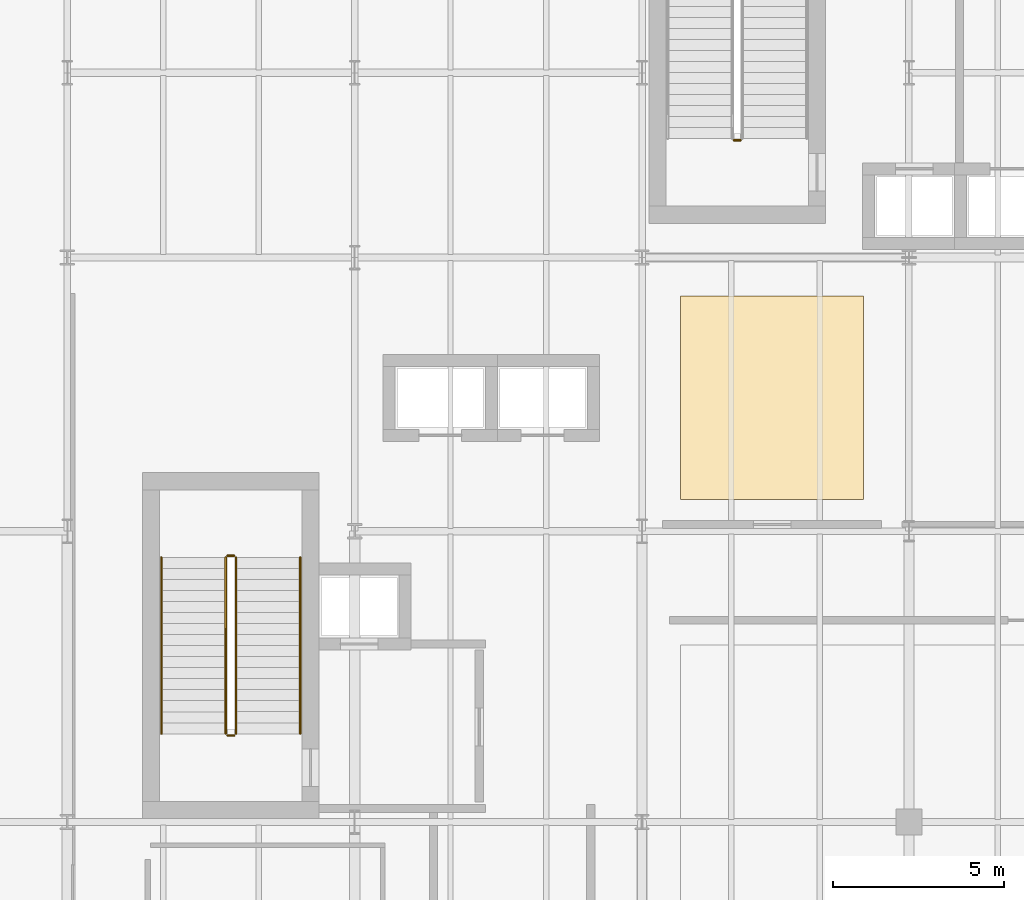
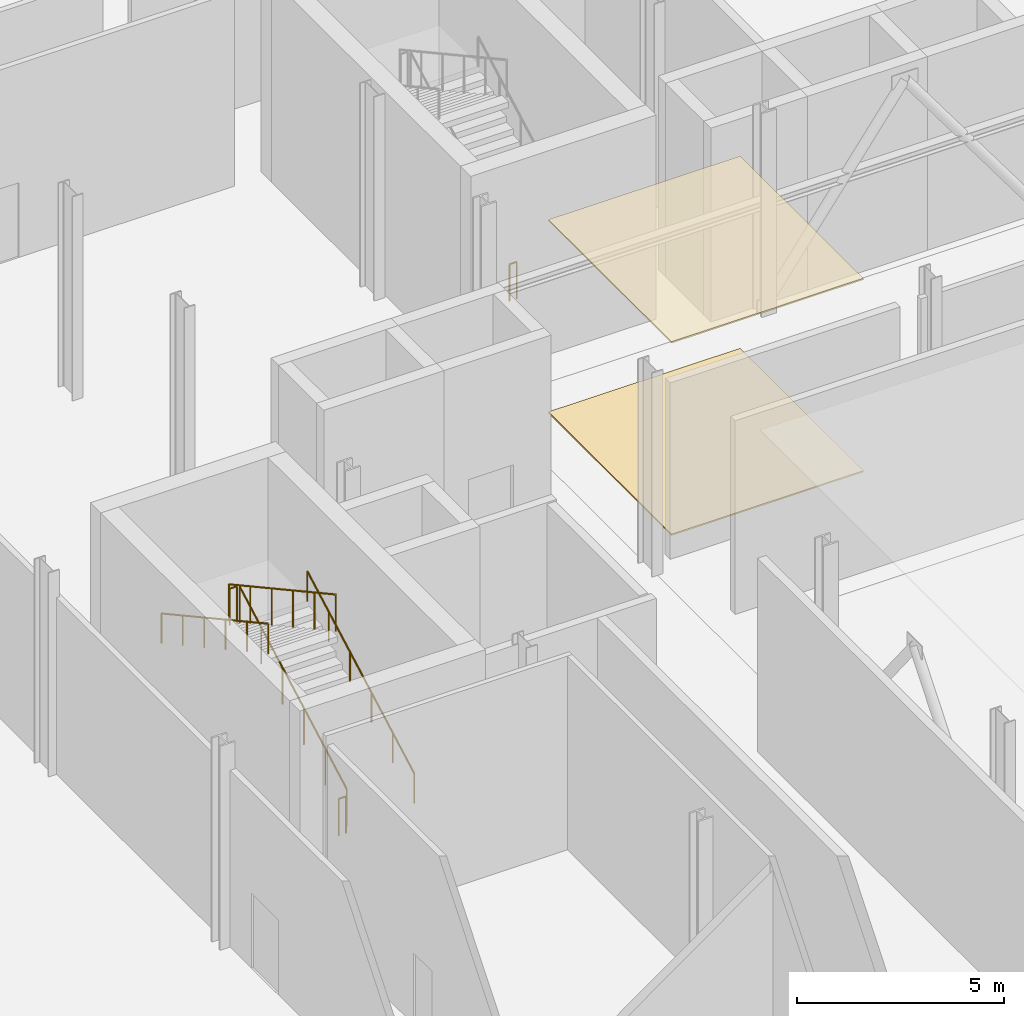
# One storey, part 73 of 84: 7 railings, 2 coverings.
"""IFC4 building model written with IfcOpenShell, lengths in metres."""

from ifc_helpers import new_model, si_unit, direction, frame, origin, origin_2d, place, context, subcontext, project, spatial, polyline, circle, outline, extrude, material, layer, layer_set, type_object, element, save


model = new_model("IFC4")

# Units and contexts
model_context = context("Model", 3, precision=1e-05, world=origin(), true_north=direction((0.0, 1.0)))
body_context = subcontext(model_context, "Body", "Model", "MODEL_VIEW")
ifc_project = project(units=[si_unit("LENGTHUNIT", "METRE"), si_unit("AREAUNIT", "SQUARE_METRE"), si_unit("VOLUMEUNIT", "CUBIC_METRE"), si_unit("PLANEANGLEUNIT", "RADIAN"), si_unit("MASSUNIT", "GRAM", prefix="KILO")], contexts=[model_context])

# Site, building, storey
site_placement = place(None, origin())
site = spatial("IfcSite", under=ifc_project, at=site_placement, CompositionType="ELEMENT")
building_placement = place(site_placement, origin())
building = spatial("IfcBuilding", under=site, at=building_placement, Name="Sefraquen Railside Congress Hotel", CompositionType="ELEMENT")
storey_placement = place(building_placement, origin())
storey = spatial("IfcBuildingStorey", under=building, at=storey_placement, Name="L00", CompositionType="ELEMENT", Elevation=0.0)

# Coverings
ifc_material_1 = material(Name="Acoustic mineral and carved plaster ceiling", Category="gypsum")
ifc_layer_1 = layer(ifc_material_1, 0.0400390625)
ifc_layer_set_1 = layer_set([ifc_layer_1], Name="Acoustic mineral and carved plaster ceiling")
covering_type_1 = type_object("IfcCoveringType", Name="TCV-CEIL-01", PredefinedType="CEILING", material=ifc_layer_set_1)
covering_1_placement = place(storey_placement, frame((0.0, 0.0, 5.659912109375)))
element("IfcCovering", 1, at=covering_1_placement, inside=storey, type_object=covering_type_1, Name="Fire Command Centre acoustic ceiling finish", PredefinedType="CEILING", context=body_context, shape_type="SweptSolid", body=[
    extrude(outline(polyline([(26.330078125, 88.929931640625), (31.669921875, 88.929931640625), (31.669921875, 94.8701171875), (26.330078125, 94.8701171875), (26.330078125, 88.929931640625)])), origin(), (0.0, 0.0, 1.0), 0.0400390625),
])
ifc_material_2 = material(Name="Moroccan zellige ceramic and honed stone flooring", Category="masonry")
ifc_layer_2 = layer(ifc_material_2, 0.0400390625)
ifc_layer_set_2 = layer_set([ifc_layer_2], Name="Moroccan zellige ceramic and honed stone flooring")
covering_type_2 = type_object("IfcCoveringType", Name="TCV-FLR-01", PredefinedType="FLOORING", material=ifc_layer_set_2)
covering_2_placement = place(storey_placement, origin())
element("IfcCovering", 2, at=covering_2_placement, inside=storey, type_object=covering_type_2, Name="Fire Command Centre architectural floor finish", PredefinedType="FLOORING", context=body_context, shape_type="SweptSolid", body=[
    extrude(outline(polyline([(26.330078125, 88.929931640625), (31.669921875, 88.929931640625), (31.669921875, 94.8701171875), (26.330078125, 94.8701171875), (26.330078125, 88.929931640625)])), origin(), (0.0, 0.0, 1.0), 0.0400390625),
])

# Railings
ifc_material_3 = material(Name="Patinated wrought architectural bronze", Category="metal")
railing_type_1 = type_object("IfcRailingType", Name="TRL-BAL-110", PredefinedType="BALUSTRADE", material=ifc_material_3)
railing_1_placement = place(storey_placement, frame((13.330078125, 82.080078125, 0.176513671875)))
element("IfcRailing", 3, at=railing_1_placement, inside=storey, type_object=railing_type_1, Name="L00 ST-H01 stair guard 1", PredefinedType="BALUSTRADE", context=body_context, shape_type="SweptSolid", body=[
    extrude(circle(Radius=0.02392578125, at=origin_2d()), frame((0.0, 0.0, 1.076171875), z_axis=(0.0, 0.876936153038, 0.480606890811), x_axis=(-1.0, 0.0, 0.0)), (0.0, 0.0, 1.0), 5.874755859375),
    extrude(circle(Radius=0.02099609375, at=origin_2d()), origin(), (0.0, 0.0, 1.0), 1.052001953125),
    extrude(circle(Radius=0.02099609375, at=origin_2d()), frame((0.0, 1.0302734375, 0.564697265625)), (0.0, 0.0, 1.0), 1.052001953125),
    extrude(circle(Radius=0.02099609375, at=origin_2d()), frame((0.0, 2.060791015625, 1.12939453125)), (0.0, 0.0, 1.0), 1.052001953125),
    extrude(circle(Radius=0.02099609375, at=origin_2d()), frame((0.0, 3.091064453125, 1.694091796875)), (0.0, 0.0, 1.0), 1.052001953125),
    extrude(circle(Radius=0.02099609375, at=origin_2d()), frame((0.0, 4.12158203125, 2.2587890625)), (0.0, 0.0, 1.0), 1.052001953125),
    extrude(circle(Radius=0.02099609375, at=origin_2d()), frame((0.0, 5.15185546875, 2.823486328125)), (0.0, 0.0, 1.0), 1.052001953125),
])
railing_2_placement = place(storey_placement, frame((13.280029296875, 87.281982421875, 3.0)))
element("IfcRailing", 4, at=railing_2_placement, inside=storey, type_object=railing_type_1, Name="L00 ST-H01 stair guard 2", PredefinedType="BALUSTRADE", context=body_context, shape_type="SweptSolid", body=[
    extrude(circle(Radius=0.02392578125, at=origin_2d()), frame((0.0, 0.0, 1.076171875), z_axis=(-1.0, 0.0, 0.0), x_axis=(0.0, -1.0, 0.0)), (0.0, 0.0, 1.0), 0.199951171875),
    extrude(circle(Radius=0.02099609375, at=origin_2d()), origin(), (0.0, 0.0, 1.0), 1.052001953125),
    extrude(circle(Radius=0.02099609375, at=origin_2d()), frame((-0.199951171875, 0.0, 0.0)), (0.0, 0.0, 1.0), 1.052001953125),
])
railing_3_placement = place(storey_placement, frame((13.030029296875, 87.23193359375, 3.176513671875)))
element("IfcRailing", 5, at=railing_3_placement, inside=storey, type_object=railing_type_1, Name="L00 ST-H01 stair guard 3", PredefinedType="BALUSTRADE", context=body_context, shape_type="SweptSolid", body=[
    extrude(circle(Radius=0.02392578125, at=origin_2d()), frame((0.0, 0.0, 1.076171875), z_axis=(0.0, -0.876936153038, 0.480606890811), x_axis=(1.0, 0.0, 0.0)), (0.0, 0.0, 1.0), 5.874755859375),
    extrude(circle(Radius=0.02099609375, at=origin_2d()), origin(), (0.0, 0.0, 1.0), 1.052001953125),
    extrude(circle(Radius=0.02099609375, at=origin_2d()), frame((0.0, -1.0302734375, 0.564697265625)), (0.0, 0.0, 1.0), 1.052001953125),
    extrude(circle(Radius=0.02099609375, at=origin_2d()), frame((0.0, -2.060791015625, 1.12939453125)), (0.0, 0.0, 1.0), 1.052001953125),
    extrude(circle(Radius=0.02099609375, at=origin_2d()), frame((0.0, -3.091064453125, 1.694091796875)), (0.0, 0.0, 1.0), 1.052001953125),
    extrude(circle(Radius=0.02099609375, at=origin_2d()), frame((0.0, -4.12158203125, 2.2587890625)), (0.0, 0.0, 1.0), 1.052001953125),
    extrude(circle(Radius=0.02099609375, at=origin_2d()), frame((0.0, -5.15185546875, 2.823486328125)), (0.0, 0.0, 1.0), 1.052001953125),
])
railing_4_placement = place(storey_placement, frame((13.280029296875, 82.030029296875, 0.0)))
element("IfcRailing", 6, at=railing_4_placement, inside=storey, type_object=railing_type_1, Name="L00 ST-H01 stair guard 4", PredefinedType="BALUSTRADE", context=body_context, shape_type="SweptSolid", body=[
    extrude(circle(Radius=0.02392578125, at=origin_2d()), frame((0.0, 0.0, 1.076171875), z_axis=(-1.0, 0.0, 0.0), x_axis=(0.0, -1.0, 0.0)), (0.0, 0.0, 1.0), 0.199951171875),
    extrude(circle(Radius=0.02099609375, at=origin_2d()), origin(), (0.0, 0.0, 1.0), 1.052001953125),
    extrude(circle(Radius=0.02099609375, at=origin_2d()), frame((-0.199951171875, 0.0, 0.0)), (0.0, 0.0, 1.0), 1.052001953125),
])
railing_5_placement = place(storey_placement, frame((28.080078125, 99.429931640625, 0.0)))
element("IfcRailing", 7, at=railing_5_placement, inside=storey, type_object=railing_type_1, Name="L00 ST-H02 stair guard 4", PredefinedType="BALUSTRADE", context=body_context, shape_type="SweptSolid", body=[
    extrude(circle(Radius=0.02392578125, at=origin_2d()), frame((0.0, 0.0, 1.076171875), z_axis=(-1.0, 0.0, 0.0), x_axis=(0.0, -1.0, 0.0)), (0.0, 0.0, 1.0), 0.2001953125),
    extrude(circle(Radius=0.02099609375, at=origin_2d()), origin(), (0.0, 0.0, 1.0), 1.052001953125),
    extrude(circle(Radius=0.02099609375, at=origin_2d()), frame((-0.2001953125, 0.0, 0.0)), (0.0, 0.0, 1.0), 1.052001953125),
])
railing_type_2 = type_object("IfcRailingType", Name="TRL-HR-090", PredefinedType="HANDRAIL", material=ifc_material_3)
railing_6_placement = place(storey_placement, frame((15.2099609375, 82.080078125, 0.176513671875)))
element("IfcRailing", 8, at=railing_6_placement, inside=storey, type_object=railing_type_2, Name="L00 ST-H01 stair handrail 1", PredefinedType="HANDRAIL", context=body_context, shape_type="SweptSolid", body=[
    extrude(circle(Radius=0.02392578125, at=origin_2d()), frame((0.0, 0.0, 0.8759765625), z_axis=(0.0, 0.876936153038, 0.480606890811), x_axis=(-1.0, 0.0, 0.0)), (0.0, 0.0, 1.0), 5.874755859375),
    extrude(circle(Radius=0.02099609375, at=origin_2d()), origin(), (0.0, 0.0, 1.0), 0.851806640625),
    extrude(circle(Radius=0.02099609375, at=origin_2d()), frame((0.0, 1.0302734375, 0.564697265625)), (0.0, 0.0, 1.0), 0.851806640625),
    extrude(circle(Radius=0.02099609375, at=origin_2d()), frame((0.0, 2.060791015625, 1.12939453125)), (0.0, 0.0, 1.0), 0.851806640625),
    extrude(circle(Radius=0.02099609375, at=origin_2d()), frame((0.0, 3.091064453125, 1.694091796875)), (0.0, 0.0, 1.0), 0.851806640625),
    extrude(circle(Radius=0.02099609375, at=origin_2d()), frame((0.0, 4.12158203125, 2.2587890625)), (0.0, 0.0, 1.0), 0.851806640625),
    extrude(circle(Radius=0.02099609375, at=origin_2d()), frame((0.0, 5.15185546875, 2.823486328125)), (0.0, 0.0, 1.0), 0.851806640625),
])
railing_7_placement = place(storey_placement, frame((11.14990234375, 87.23193359375, 3.176513671875)))
element("IfcRailing", 9, at=railing_7_placement, inside=storey, type_object=railing_type_2, Name="L00 ST-H01 stair handrail 2", PredefinedType="HANDRAIL", context=body_context, shape_type="SweptSolid", body=[
    extrude(circle(Radius=0.02392578125, at=origin_2d()), frame((0.0, 0.0, 0.8759765625), z_axis=(0.0, -0.876936153038, 0.480606890811), x_axis=(1.0, 0.0, 0.0)), (0.0, 0.0, 1.0), 5.874755859375),
    extrude(circle(Radius=0.02099609375, at=origin_2d()), origin(), (0.0, 0.0, 1.0), 0.851806640625),
    extrude(circle(Radius=0.02099609375, at=origin_2d()), frame((0.0, -1.0302734375, 0.564697265625)), (0.0, 0.0, 1.0), 0.851806640625),
    extrude(circle(Radius=0.02099609375, at=origin_2d()), frame((0.0, -2.060791015625, 1.12939453125)), (0.0, 0.0, 1.0), 0.851806640625),
    extrude(circle(Radius=0.02099609375, at=origin_2d()), frame((0.0, -3.091064453125, 1.694091796875)), (0.0, 0.0, 1.0), 0.851806640625),
    extrude(circle(Radius=0.02099609375, at=origin_2d()), frame((0.0, -4.12158203125, 2.2587890625)), (0.0, 0.0, 1.0), 0.851806640625),
    extrude(circle(Radius=0.02099609375, at=origin_2d()), frame((0.0, -5.15185546875, 2.823486328125)), (0.0, 0.0, 1.0), 0.851806640625),
])

save(model, "model.ifc")
